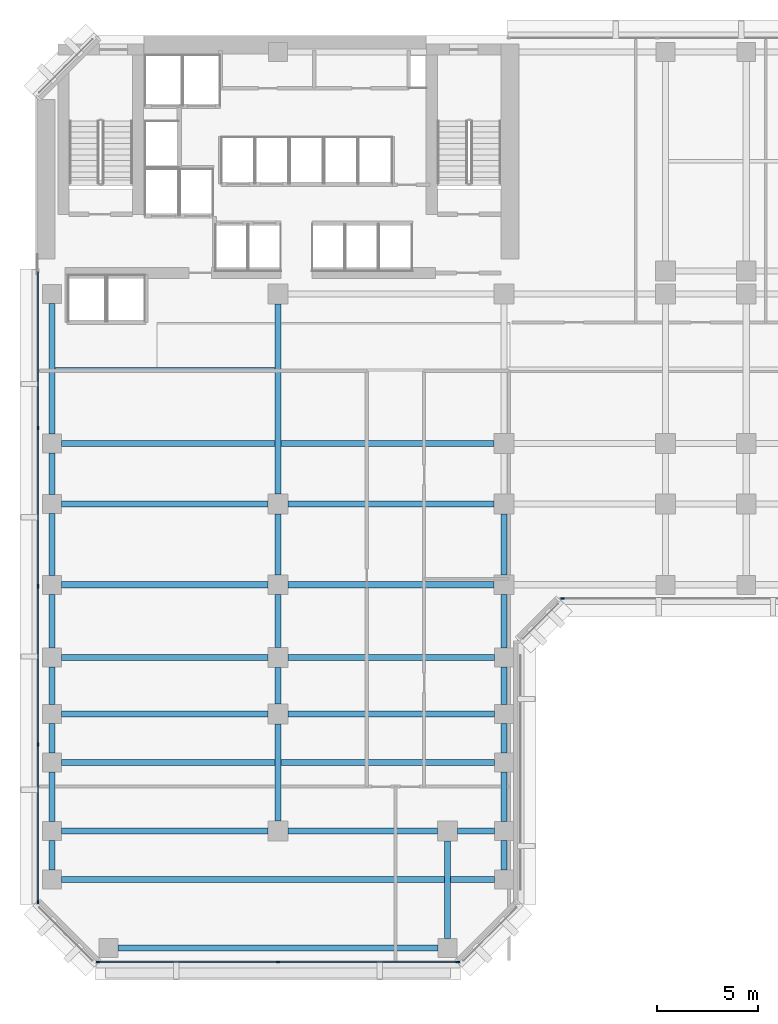
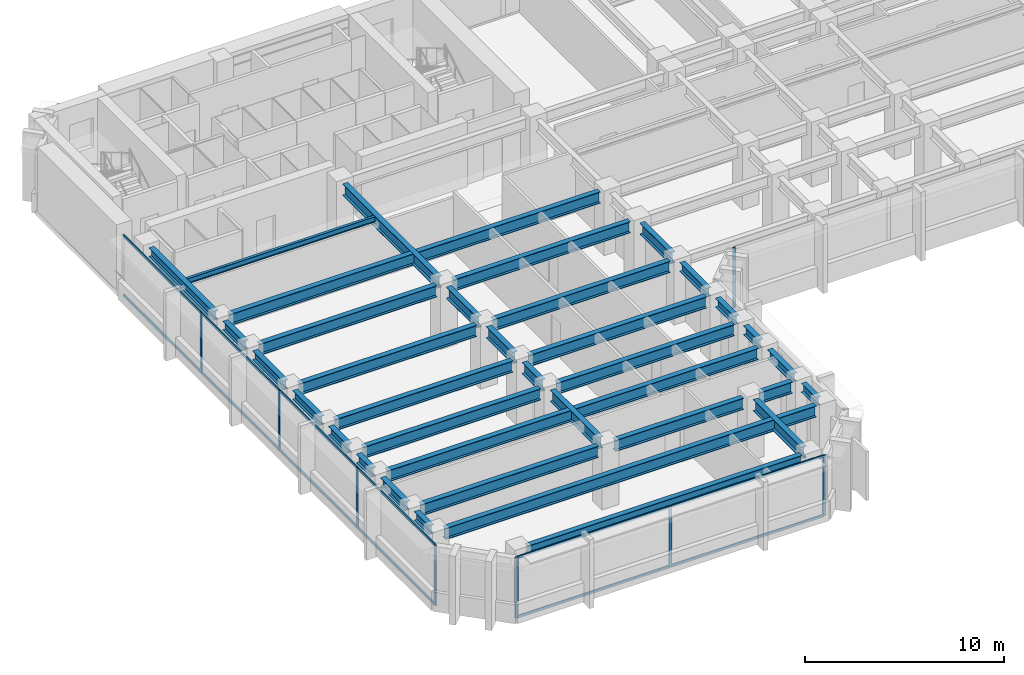
# One storey, part 2 of 13: 36 beams, 20 members, 3 elements without a shape of their own.
"""IFC4 building model written with IfcOpenShell, lengths in metres."""

from ifc_helpers import new_model, si_unit, direction, frame, origin, origin_2d, place, context, subcontext, project, spatial, rectangle, i_section, extrude, material, layer, layer_set, material_profile, profile_set, type_object, element, aggregate, save


model = new_model("IFC4")

# Units and contexts
model_context = context("Model", 3, precision=1e-05, world=origin(), true_north=direction((0.0, 1.0)))
body_context = subcontext(model_context, "Body", "Model", "MODEL_VIEW")
ifc_project = project(units=[si_unit("LENGTHUNIT", "METRE"), si_unit("AREAUNIT", "SQUARE_METRE"), si_unit("VOLUMEUNIT", "CUBIC_METRE"), si_unit("PLANEANGLEUNIT", "RADIAN"), si_unit("MASSUNIT", "GRAM", prefix="KILO")], contexts=[model_context])

# Site, building, storey
site_placement = place(None, origin())
site = spatial("IfcSite", under=ifc_project, at=site_placement, CompositionType="ELEMENT")
building_placement = place(site_placement, origin())
building = spatial("IfcBuilding", under=site, at=building_placement, Name="Kefirva Bronze Tower", CompositionType="ELEMENT")
storey_placement = place(building_placement, frame((0.0, 0.0, 69.9599609375)))
storey = spatial("IfcBuildingStorey", under=building, at=storey_placement, Name="L16", CompositionType="ELEMENT", Elevation=69.9599609375)

# Curtain wall, members
ifc_material_1 = material(Name="Bronze anodised aluminium", Category="aluminium")
ifc_layer = layer(ifc_material_1, 0.199951171875, Name="Bronze anodised aluminium")
ifc_layer_set = layer_set([ifc_layer], Name="Bronze anodised aluminium")
curtain_wall_type = type_object("IfcCurtainWallType", Name="Unitised Bronze Ribbon Curtain Wall Zone 1", PredefinedType="USERDEFINED", material=ifc_layer_set)
curtain_wall_1_placement = place(storey_placement, origin())
curtain_wall_1 = element("IfcCurtainWall", 1, at=curtain_wall_1_placement, inside=storey, type_object=curtain_wall_type, Name="L16 Curtain Wall 1", ObjectType="UNITISED CURTAIN WALL", PredefinedType="USERDEFINED")
ifc_material_profile_1 = material_profile(ifc_material_1, rectangle(XDim=0.074951171875, YDim=0.179931640625, at=origin_2d()), Name="ALU 75x180")
ifc_profile_set_1 = profile_set([ifc_material_profile_1], Name="Bronze anodised aluminium")
member_type_1 = type_object("IfcMemberType", Name="Bronze Mullion 75x180", PredefinedType="MULLION", material=ifc_profile_set_1)
member_1_placement = place(storey_placement, frame((3.092529296875, 0.1201171875, 0.0), z_axis=(0.0, 0.0, 1.0), x_axis=(0.0, 1.0, 0.0)))
member_1 = element("IfcMember", 2, at=member_1_placement, type_object=member_type_1, Name="CW-01 mullion 1", PredefinedType="MULLION", context=body_context, shape_type="SweptSolid", body=[
    extrude(rectangle(XDim=0.074951171875, YDim=0.179931640625, at=origin_2d()), origin(), (0.0, 0.0, 1.0), 3.7099609375),
])
member_2_placement = place(storey_placement, frame((12.0, 0.1201171875, 0.0), z_axis=(0.0, 0.0, 1.0), x_axis=(0.0, 1.0, 0.0)))
member_2 = element("IfcMember", 3, at=member_2_placement, type_object=member_type_1, Name="CW-01 mullion 2", PredefinedType="MULLION", context=body_context, shape_type="SweptSolid", body=[
    extrude(rectangle(XDim=0.074951171875, YDim=0.179931640625, at=origin_2d()), origin(), (0.0, 0.0, 1.0), 3.7099609375),
])
member_3_placement = place(storey_placement, frame((20.907470703125, 0.1201171875, 0.0), z_axis=(0.0, 0.0, 1.0), x_axis=(0.0, 1.0, 0.0)))
member_3 = element("IfcMember", 4, at=member_3_placement, type_object=member_type_1, Name="CW-01 mullion 3", PredefinedType="MULLION", context=body_context, shape_type="SweptSolid", body=[
    extrude(rectangle(XDim=0.074951171875, YDim=0.179931640625, at=origin_2d()), origin(), (0.0, 0.0, 1.0), 3.7099609375),
])

# Curtain wall, member
curtain_wall_2_placement = place(storey_placement, origin())
curtain_wall_2 = element("IfcCurtainWall", 5, at=curtain_wall_2_placement, inside=storey, type_object=curtain_wall_type, Name="L16 Curtain Wall 2", ObjectType="UNITISED CURTAIN WALL", PredefinedType="USERDEFINED")
member_4_placement = place(storey_placement, frame((26.092529296875, 18.1201171875, 0.0), z_axis=(0.0, 0.0, 1.0), x_axis=(0.0, 1.0, 0.0)))
member_4 = element("IfcMember", 6, at=member_4_placement, type_object=member_type_1, Name="CW-01 mullion 1", PredefinedType="MULLION", context=body_context, shape_type="SweptSolid", body=[
    extrude(rectangle(XDim=0.074951171875, YDim=0.179931640625, at=origin_2d()), origin(), (0.0, 0.0, 1.0), 3.7099609375),
])
aggregate(curtain_wall_2, [member_4])

# Curtain wall, members
curtain_wall_3_placement = place(storey_placement, origin())
curtain_wall_3 = element("IfcCurtainWall", 7, at=curtain_wall_3_placement, inside=storey, type_object=curtain_wall_type, Name="L16 Curtain Wall 5", ObjectType="UNITISED CURTAIN WALL", PredefinedType="USERDEFINED")
member_5_placement = place(storey_placement, frame((0.1201171875, 26.56005859375, 0.0), z_axis=(0.0, 0.0, 1.0), x_axis=(1.0, 0.0, 0.0)))
member_5 = element("IfcMember", 8, at=member_5_placement, type_object=member_type_1, Name="CW-01 mullion 2", PredefinedType="MULLION", context=body_context, shape_type="SweptSolid", body=[
    extrude(rectangle(XDim=0.074951171875, YDim=0.179931640625, at=origin_2d()), origin(), (0.0, 0.0, 1.0), 3.7099609375),
])
member_6_placement = place(storey_placement, frame((0.1201171875, 18.72509765625, 0.0), z_axis=(0.0, 0.0, 1.0), x_axis=(1.0, 0.0, 0.0)))
member_6 = element("IfcMember", 9, at=member_6_placement, type_object=member_type_1, Name="CW-01 mullion 3", PredefinedType="MULLION", context=body_context, shape_type="SweptSolid", body=[
    extrude(rectangle(XDim=0.074951171875, YDim=0.179931640625, at=origin_2d()), origin(), (0.0, 0.0, 1.0), 3.7099609375),
])
member_7_placement = place(storey_placement, frame((0.1201171875, 10.889892578125, 0.0), z_axis=(0.0, 0.0, 1.0), x_axis=(1.0, 0.0, 0.0)))
member_7 = element("IfcMember", 10, at=member_7_placement, type_object=member_type_1, Name="CW-01 mullion 4", PredefinedType="MULLION", context=body_context, shape_type="SweptSolid", body=[
    extrude(rectangle(XDim=0.074951171875, YDim=0.179931640625, at=origin_2d()), origin(), (0.0, 0.0, 1.0), 3.7099609375),
])
member_8_placement = place(storey_placement, frame((0.1201171875, 3.092529296875, 0.0), z_axis=(0.0, 0.0, 1.0), x_axis=(1.0, 0.0, 0.0)))
member_8 = element("IfcMember", 11, at=member_8_placement, type_object=member_type_1, Name="CW-01 mullion 5", PredefinedType="MULLION", context=body_context, shape_type="SweptSolid", body=[
    extrude(rectangle(XDim=0.074951171875, YDim=0.179931640625, at=origin_2d()), origin(), (0.0, 0.0, 1.0), 3.7099609375),
])

# Member
ifc_material_profile_2 = material_profile(ifc_material_1, rectangle(XDim=0.074951171875, YDim=0.14990234375, at=origin_2d()), Name="ALU 75x150")
ifc_profile_set_2 = profile_set([ifc_material_profile_2], Name="Bronze anodised aluminium")
member_type_2 = type_object("IfcMemberType", Name="Bronze Transom 75x150", PredefinedType="USERDEFINED", material=ifc_profile_set_2)
member_9_placement = place(storey_placement, frame((3.1298828125, 0.1201171875, 0.03759765625), z_axis=(1.0, 0.0, 0.0), x_axis=(0.0, 1.0, 0.0)))
member_9 = element("IfcMember", 12, at=member_9_placement, type_object=member_type_2, Name="CW-01 transom 1.1", ObjectType="TRANSOM", PredefinedType="USERDEFINED", context=body_context, shape_type="SweptSolid", body=[
    extrude(rectangle(XDim=0.074951171875, YDim=0.14990234375, at=origin_2d()), origin(), (0.0, 0.0, 1.0), 8.83251953125),
])

member_10_placement = place(storey_placement, frame((3.1298828125, 0.1201171875, 3.672607421875), z_axis=(1.0, 0.0, 0.0), x_axis=(0.0, 1.0, 0.0)))
member_10 = element("IfcMember", 13, at=member_10_placement, type_object=member_type_2, Name="CW-01 transom 1.2", ObjectType="TRANSOM", PredefinedType="USERDEFINED", context=body_context, shape_type="SweptSolid", body=[
    extrude(rectangle(XDim=0.074951171875, YDim=0.14990234375, at=origin_2d()), origin(), (0.0, 0.0, 1.0), 8.83251953125),
])

member_11_placement = place(storey_placement, frame((12.03759765625, 0.1201171875, 0.03759765625), z_axis=(1.0, 0.0, 0.0), x_axis=(0.0, 1.0, 0.0)))
member_11 = element("IfcMember", 14, at=member_11_placement, type_object=member_type_2, Name="CW-01 transom 2.1", ObjectType="TRANSOM", PredefinedType="USERDEFINED", context=body_context, shape_type="SweptSolid", body=[
    extrude(rectangle(XDim=0.074951171875, YDim=0.14990234375, at=origin_2d()), origin(), (0.0, 0.0, 1.0), 8.83251953125),
])

member_12_placement = place(storey_placement, frame((12.03759765625, 0.1201171875, 3.672607421875), z_axis=(1.0, 0.0, 0.0), x_axis=(0.0, 1.0, 0.0)))
member_12 = element("IfcMember", 15, at=member_12_placement, type_object=member_type_2, Name="CW-01 transom 2.2", ObjectType="TRANSOM", PredefinedType="USERDEFINED", context=body_context, shape_type="SweptSolid", body=[
    extrude(rectangle(XDim=0.074951171875, YDim=0.14990234375, at=origin_2d()), origin(), (0.0, 0.0, 1.0), 8.83251953125),
])

aggregate(curtain_wall_1, [member_1, member_2, member_3, member_9, member_10, member_11, member_12])

member_13_placement = place(storey_placement, frame((0.1201171875, 34.320068359375, 0.03759765625), z_axis=(0.0, -1.0, 0.0), x_axis=(1.0, 0.0, 0.0)))
member_13 = element("IfcMember", 16, at=member_13_placement, type_object=member_type_2, Name="CW-01 transom 1.1", ObjectType="TRANSOM", PredefinedType="USERDEFINED", context=body_context, shape_type="SweptSolid", body=[
    extrude(rectangle(XDim=0.074951171875, YDim=0.14990234375, at=origin_2d()), origin(), (0.0, 0.0, 1.0), 7.72265625),
])

member_14_placement = place(storey_placement, frame((0.1201171875, 34.320068359375, 3.672607421875), z_axis=(0.0, -1.0, 0.0), x_axis=(1.0, 0.0, 0.0)))
member_14 = element("IfcMember", 17, at=member_14_placement, type_object=member_type_2, Name="CW-01 transom 1.2", ObjectType="TRANSOM", PredefinedType="USERDEFINED", context=body_context, shape_type="SweptSolid", body=[
    extrude(rectangle(XDim=0.074951171875, YDim=0.14990234375, at=origin_2d()), origin(), (0.0, 0.0, 1.0), 7.72265625),
])

member_15_placement = place(storey_placement, frame((0.1201171875, 26.5224609375, 0.03759765625), z_axis=(0.0, -1.0, 0.0), x_axis=(1.0, 0.0, 0.0)))
member_15 = element("IfcMember", 18, at=member_15_placement, type_object=member_type_2, Name="CW-01 transom 2.1", ObjectType="TRANSOM", PredefinedType="USERDEFINED", context=body_context, shape_type="SweptSolid", body=[
    extrude(rectangle(XDim=0.074951171875, YDim=0.14990234375, at=origin_2d()), origin(), (0.0, 0.0, 1.0), 7.760009765625),
])

member_16_placement = place(storey_placement, frame((0.1201171875, 26.5224609375, 3.672607421875), z_axis=(0.0, -1.0, 0.0), x_axis=(1.0, 0.0, 0.0)))
member_16 = element("IfcMember", 19, at=member_16_placement, type_object=member_type_2, Name="CW-01 transom 2.2", ObjectType="TRANSOM", PredefinedType="USERDEFINED", context=body_context, shape_type="SweptSolid", body=[
    extrude(rectangle(XDim=0.074951171875, YDim=0.14990234375, at=origin_2d()), origin(), (0.0, 0.0, 1.0), 7.760009765625),
])

member_17_placement = place(storey_placement, frame((0.1201171875, 18.6875, 0.03759765625), z_axis=(0.0, -1.0, 0.0), x_axis=(1.0, 0.0, 0.0)))
member_17 = element("IfcMember", 20, at=member_17_placement, type_object=member_type_2, Name="CW-01 transom 3.1", ObjectType="TRANSOM", PredefinedType="USERDEFINED", context=body_context, shape_type="SweptSolid", body=[
    extrude(rectangle(XDim=0.074951171875, YDim=0.14990234375, at=origin_2d()), origin(), (0.0, 0.0, 1.0), 7.760009765625),
])

member_18_placement = place(storey_placement, frame((0.1201171875, 18.6875, 3.672607421875), z_axis=(0.0, -1.0, 0.0), x_axis=(1.0, 0.0, 0.0)))
member_18 = element("IfcMember", 21, at=member_18_placement, type_object=member_type_2, Name="CW-01 transom 3.2", ObjectType="TRANSOM", PredefinedType="USERDEFINED", context=body_context, shape_type="SweptSolid", body=[
    extrude(rectangle(XDim=0.074951171875, YDim=0.14990234375, at=origin_2d()), origin(), (0.0, 0.0, 1.0), 7.760009765625),
])

member_19_placement = place(storey_placement, frame((0.1201171875, 10.8525390625, 0.03759765625), z_axis=(0.0, -1.0, 0.0), x_axis=(1.0, 0.0, 0.0)))
member_19 = element("IfcMember", 22, at=member_19_placement, type_object=member_type_2, Name="CW-01 transom 4.1", ObjectType="TRANSOM", PredefinedType="USERDEFINED", context=body_context, shape_type="SweptSolid", body=[
    extrude(rectangle(XDim=0.074951171875, YDim=0.14990234375, at=origin_2d()), origin(), (0.0, 0.0, 1.0), 7.72265625),
])

member_20_placement = place(storey_placement, frame((0.1201171875, 10.8525390625, 3.672607421875), z_axis=(0.0, -1.0, 0.0), x_axis=(1.0, 0.0, 0.0)))
member_20 = element("IfcMember", 23, at=member_20_placement, type_object=member_type_2, Name="CW-01 transom 4.2", ObjectType="TRANSOM", PredefinedType="USERDEFINED", context=body_context, shape_type="SweptSolid", body=[
    extrude(rectangle(XDim=0.074951171875, YDim=0.14990234375, at=origin_2d()), origin(), (0.0, 0.0, 1.0), 7.72265625),
])

aggregate(curtain_wall_3, [member_5, member_6, member_7, member_8, member_13, member_14, member_15, member_16, member_17, member_18, member_19, member_20])

# Beams
ifc_material_2 = material(Name="Steel S355", Category="steel")
ifc_material_profile_3 = material_profile(ifc_material_2, i_section(OverallWidth=0.159912109375, OverallDepth=0.330078125, WebThickness=0.007568359375, FlangeThickness=0.011474609375, at=origin_2d()), Name="IPE 330")
ifc_profile_set_3 = profile_set([ifc_material_profile_3], Name="Steel S355")
beam_type_1 = type_object("IfcBeamType", Name="Steel Floor Joist IPE 330", PredefinedType="JOIST", material=ifc_profile_set_3)
beam_1_placement = place(storey_placement, frame((0.949951171875, 29.489990234375, 3.544921875), z_axis=(1.0, 0.0, 0.0), x_axis=(0.0, 1.0, 0.0)))
element("IfcBeam", 24, at=beam_1_placement, inside=storey, type_object=beam_type_1, Name="L16 JST-L16-0-294", PredefinedType="JOIST", context=body_context, shape_type="SweptSolid", body=[
    extrude(i_section(OverallWidth=0.159912109375, OverallDepth=0.330078125, WebThickness=0.007568359375, FlangeThickness=0.011474609375, at=origin_2d()), origin(), (0.0, 0.0, 1.0), 10.900146484375),
])
ifc_material_profile_4 = material_profile(ifc_material_2, i_section(OverallWidth=0.300048828125, OverallDepth=0.699951171875, WebThickness=0.01708984375, FlangeThickness=0.031982421875, at=origin_2d()), Name="HEB 700")
ifc_profile_set_4 = profile_set([ifc_material_profile_4], Name="Steel S355")
beam_type_2 = type_object("IfcBeamType", Name="Steel Girder HEB 700", PredefinedType="USERDEFINED", material=ifc_profile_set_4)
beam_2_placement = place(storey_placement, frame((1.27001953125, 4.199951171875, 3.360107421875), z_axis=(1.0, 0.0, 0.0), x_axis=(0.0, 1.0, 0.0)))
element("IfcBeam", 25, at=beam_2_placement, inside=storey, type_object=beam_type_2, Name="L16 BM-L16-EW-0-42", ObjectType="GIRDER", PredefinedType="USERDEFINED", context=body_context, shape_type="SweptSolid", body=[
    extrude(i_section(OverallWidth=0.300048828125, OverallDepth=0.699951171875, WebThickness=0.01708984375, FlangeThickness=0.031982421875, at=origin_2d()), origin(), (0.0, 0.0, 1.0), 21.4599609375),
])
beam_3_placement = place(storey_placement, frame((1.27001953125, 6.60009765625, 3.360107421875), z_axis=(1.0, 0.0, 0.0), x_axis=(0.0, 1.0, 0.0)))
element("IfcBeam", 26, at=beam_3_placement, inside=storey, type_object=beam_type_2, Name="L16 BM-L16-EW-0-66", ObjectType="GIRDER", PredefinedType="USERDEFINED", context=body_context, shape_type="SweptSolid", body=[
    extrude(i_section(OverallWidth=0.300048828125, OverallDepth=0.699951171875, WebThickness=0.01708984375, FlangeThickness=0.031982421875, at=origin_2d()), origin(), (0.0, 0.0, 1.0), 10.239990234375),
])
beam_4_placement = place(storey_placement, frame((12.489990234375, 6.60009765625, 3.360107421875), z_axis=(1.0, 0.0, 0.0), x_axis=(0.0, 1.0, 0.0)))
element("IfcBeam", 27, at=beam_4_placement, inside=storey, type_object=beam_type_2, Name="L16 BM-L16-EW-12-66", ObjectType="GIRDER", PredefinedType="USERDEFINED", context=body_context, shape_type="SweptSolid", body=[
    extrude(i_section(OverallWidth=0.300048828125, OverallDepth=0.699951171875, WebThickness=0.01708984375, FlangeThickness=0.031982421875, at=origin_2d()), origin(), (0.0, 0.0, 1.0), 7.419921875),
])
beam_5_placement = place(storey_placement, frame((20.889892578125, 6.60009765625, 3.360107421875), z_axis=(1.0, 0.0, 0.0), x_axis=(0.0, 1.0, 0.0)))
element("IfcBeam", 28, at=beam_5_placement, inside=storey, type_object=beam_type_2, Name="L16 BM-L16-EW-20-66", ObjectType="GIRDER", PredefinedType="USERDEFINED", context=body_context, shape_type="SweptSolid", body=[
    extrude(i_section(OverallWidth=0.300048828125, OverallDepth=0.699951171875, WebThickness=0.01708984375, FlangeThickness=0.031982421875, at=origin_2d()), origin(), (0.0, 0.0, 1.0), 1.840087890625),
])
beam_6_placement = place(storey_placement, frame((1.27001953125, 10.0, 3.360107421875), z_axis=(1.0, 0.0, 0.0), x_axis=(0.0, 1.0, 0.0)))
element("IfcBeam", 29, at=beam_6_placement, inside=storey, type_object=beam_type_2, Name="L16 BM-L16-EW-0-100", ObjectType="GIRDER", PredefinedType="USERDEFINED", context=body_context, shape_type="SweptSolid", body=[
    extrude(i_section(OverallWidth=0.300048828125, OverallDepth=0.699951171875, WebThickness=0.01708984375, FlangeThickness=0.031982421875, at=origin_2d()), origin(), (0.0, 0.0, 1.0), 21.4599609375),
])
for number, where, z_axis, x_axis, name in (
    (30, (1.27001953125, 12.39990234375, 3.360107421875), (1.0, 0.0, 0.0), (0.0, 1.0, 0.0), "L16 BM-L16-EW-0-124"),
    (31, (12.489990234375, 12.39990234375, 3.360107421875), (1.0, 0.0, 0.0), (0.0, 1.0, 0.0), "L16 BM-L16-EW-12-124"),
    (32, (1.27001953125, 15.199951171875, 3.360107421875), (1.0, 0.0, 0.0), (0.0, 1.0, 0.0), "L16 BM-L16-EW-0-152"),
    (33, (12.489990234375, 15.199951171875, 3.360107421875), (1.0, 0.0, 0.0), (0.0, 1.0, 0.0), "L16 BM-L16-EW-12-152"),
    (34, (1.27001953125, 18.800048828125, 3.360107421875), (1.0, 0.0, 0.0), (0.0, 1.0, 0.0), "L16 BM-L16-EW-0-188"),
):
    element("IfcBeam", number, at=place(storey_placement, frame(where, z_axis=z_axis, x_axis=x_axis)), inside=storey, type_object=beam_type_2, Name=name, ObjectType="GIRDER", PredefinedType="USERDEFINED", context=body_context, shape_type="SweptSolid", body=[
        extrude(i_section(OverallWidth=0.300048828125, OverallDepth=0.699951171875, WebThickness=0.01708984375, FlangeThickness=0.031982421875, at=origin_2d()), origin(), (0.0, 0.0, 1.0), 10.239990234375),
    ])
beam_7_placement = place(storey_placement, frame((12.489990234375, 18.800048828125, 3.360107421875), z_axis=(1.0, 0.0, 0.0), x_axis=(0.0, 1.0, 0.0)))
element("IfcBeam", 35, at=beam_7_placement, inside=storey, type_object=beam_type_2, Name="L16 BM-L16-EW-12-188", ObjectType="GIRDER", PredefinedType="USERDEFINED", context=body_context, shape_type="SweptSolid", body=[
    extrude(i_section(OverallWidth=0.300048828125, OverallDepth=0.699951171875, WebThickness=0.01708984375, FlangeThickness=0.031982421875, at=origin_2d()), origin(), (0.0, 0.0, 1.0), 10.219970703125),
])
beam_8_placement = place(storey_placement, frame((1.27001953125, 22.800048828125, 3.360107421875), z_axis=(1.0, 0.0, 0.0), x_axis=(0.0, 1.0, 0.0)))
element("IfcBeam", 36, at=beam_8_placement, inside=storey, type_object=beam_type_2, Name="L16 BM-L16-EW-0-228", ObjectType="GIRDER", PredefinedType="USERDEFINED", context=body_context, shape_type="SweptSolid", body=[
    extrude(i_section(OverallWidth=0.300048828125, OverallDepth=0.699951171875, WebThickness=0.01708984375, FlangeThickness=0.031982421875, at=origin_2d()), origin(), (0.0, 0.0, 1.0), 10.239990234375),
])
beam_9_placement = place(storey_placement, frame((12.489990234375, 22.800048828125, 3.360107421875), z_axis=(1.0, 0.0, 0.0), x_axis=(0.0, 1.0, 0.0)))
element("IfcBeam", 37, at=beam_9_placement, inside=storey, type_object=beam_type_2, Name="L16 BM-L16-EW-12-228", ObjectType="GIRDER", PredefinedType="USERDEFINED", context=body_context, shape_type="SweptSolid", body=[
    extrude(i_section(OverallWidth=0.300048828125, OverallDepth=0.699951171875, WebThickness=0.01708984375, FlangeThickness=0.031982421875, at=origin_2d()), origin(), (0.0, 0.0, 1.0), 10.219970703125),
])
beam_10_placement = place(storey_placement, frame((1.27001953125, 25.800048828125, 3.360107421875), z_axis=(1.0, 0.0, 0.0), x_axis=(0.0, 1.0, 0.0)))
element("IfcBeam", 38, at=beam_10_placement, inside=storey, type_object=beam_type_2, Name="L16 BM-L16-EW-0-258", ObjectType="GIRDER", PredefinedType="USERDEFINED", context=body_context, shape_type="SweptSolid", body=[
    extrude(i_section(OverallWidth=0.300048828125, OverallDepth=0.699951171875, WebThickness=0.01708984375, FlangeThickness=0.031982421875, at=origin_2d()), origin(), (0.0, 0.0, 1.0), 21.43994140625),
])
beam_11_placement = place(storey_placement, frame((12.0, 7.090087890625, 3.360107421875), z_axis=(0.0, 1.0, 0.0), x_axis=(-1.0, 0.0, 0.0)))
element("IfcBeam", 39, at=beam_11_placement, inside=storey, type_object=beam_type_2, Name="L16 BM-L16-NS-120-6", ObjectType="GIRDER", PredefinedType="USERDEFINED", context=body_context, shape_type="SweptSolid", body=[
    extrude(i_section(OverallWidth=0.300048828125, OverallDepth=0.699951171875, WebThickness=0.01708984375, FlangeThickness=0.031982421875, at=origin_2d()), origin(), (0.0, 0.0, 1.0), 4.81982421875),
])
beam_12_placement = place(storey_placement, frame((12.0, 12.889892578125, 3.360107421875), z_axis=(0.0, 1.0, 0.0), x_axis=(-1.0, 0.0, 0.0)))
element("IfcBeam", 40, at=beam_12_placement, inside=storey, type_object=beam_type_2, Name="L16 BM-L16-NS-120-12", ObjectType="GIRDER", PredefinedType="USERDEFINED", context=body_context, shape_type="SweptSolid", body=[
    extrude(i_section(OverallWidth=0.300048828125, OverallDepth=0.699951171875, WebThickness=0.01708984375, FlangeThickness=0.031982421875, at=origin_2d()), origin(), (0.0, 0.0, 1.0), 1.820068359375),
])
beam_13_placement = place(storey_placement, frame((12.0, 15.68994140625, 3.360107421875), z_axis=(0.0, 1.0, 0.0), x_axis=(-1.0, 0.0, 0.0)))
element("IfcBeam", 41, at=beam_13_placement, inside=storey, type_object=beam_type_2, Name="L16 BM-L16-NS-120-15", ObjectType="GIRDER", PredefinedType="USERDEFINED", context=body_context, shape_type="SweptSolid", body=[
    extrude(i_section(OverallWidth=0.300048828125, OverallDepth=0.699951171875, WebThickness=0.01708984375, FlangeThickness=0.031982421875, at=origin_2d()), origin(), (0.0, 0.0, 1.0), 2.6201171875),
])
beam_14_placement = place(storey_placement, frame((12.0, 19.2900390625, 3.360107421875), z_axis=(0.0, 1.0, 0.0), x_axis=(-1.0, 0.0, 0.0)))
element("IfcBeam", 42, at=beam_14_placement, inside=storey, type_object=beam_type_2, Name="L16 BM-L16-NS-120-18", ObjectType="GIRDER", PredefinedType="USERDEFINED", context=body_context, shape_type="SweptSolid", body=[
    extrude(i_section(OverallWidth=0.300048828125, OverallDepth=0.699951171875, WebThickness=0.01708984375, FlangeThickness=0.031982421875, at=origin_2d()), origin(), (0.0, 0.0, 1.0), 3.02001953125),
])
beam_15_placement = place(storey_placement, frame((12.0, 23.2900390625, 3.360107421875), z_axis=(0.0, 1.0, 0.0), x_axis=(-1.0, 0.0, 0.0)))
element("IfcBeam", 43, at=beam_15_placement, inside=storey, type_object=beam_type_2, Name="L16 BM-L16-NS-120-22", ObjectType="GIRDER", PredefinedType="USERDEFINED", context=body_context, shape_type="SweptSolid", body=[
    extrude(i_section(OverallWidth=0.300048828125, OverallDepth=0.699951171875, WebThickness=0.01708984375, FlangeThickness=0.031982421875, at=origin_2d()), origin(), (0.0, 0.0, 1.0), 9.419921875),
])
beam_16_placement = place(storey_placement, frame((20.39990234375, 1.27001953125, 3.360107421875), z_axis=(0.0, 1.0, 0.0), x_axis=(-1.0, 0.0, 0.0)))
element("IfcBeam", 44, at=beam_16_placement, inside=storey, type_object=beam_type_2, Name="L16 BM-L16-NS-204-0", ObjectType="GIRDER", PredefinedType="USERDEFINED", context=body_context, shape_type="SweptSolid", body=[
    extrude(i_section(OverallWidth=0.300048828125, OverallDepth=0.699951171875, WebThickness=0.01708984375, FlangeThickness=0.031982421875, at=origin_2d()), origin(), (0.0, 0.0, 1.0), 4.840087890625),
])
beam_17_placement = place(storey_placement, frame((23.199951171875, 19.2900390625, 3.360107421875), z_axis=(0.0, 1.0, 0.0), x_axis=(-1.0, 0.0, 0.0)))
element("IfcBeam", 45, at=beam_17_placement, inside=storey, type_object=beam_type_2, Name="L16 BM-L16-NS-232-18", ObjectType="GIRDER", PredefinedType="USERDEFINED", context=body_context, shape_type="SweptSolid", body=[
    extrude(i_section(OverallWidth=0.300048828125, OverallDepth=0.699951171875, WebThickness=0.01708984375, FlangeThickness=0.031982421875, at=origin_2d()), origin(), (0.0, 0.0, 1.0), 3.02001953125),
])
ifc_material_profile_5 = material_profile(ifc_material_2, i_section(OverallWidth=0.300048828125, OverallDepth=0.550048828125, WebThickness=0.014892578125, FlangeThickness=0.029052734375, at=origin_2d()), Name="HEB 550")
ifc_profile_set_5 = profile_set([ifc_material_profile_5], Name="Steel S355")
beam_type_3 = type_object("IfcBeamType", Name="Steel Spandrel HEB 550 Ext", PredefinedType="SPANDREL", material=ifc_profile_set_5)
beam_18_placement = place(storey_placement, frame((4.070068359375, 0.800048828125, 3.43505859375), z_axis=(1.0, 0.0, 0.0), x_axis=(0.0, 1.0, 0.0)))
element("IfcBeam", 46, at=beam_18_placement, inside=storey, type_object=beam_type_3, Name="L16 BM-L16-EW-3-8", PredefinedType="SPANDREL", context=body_context, shape_type="SweptSolid", body=[
    extrude(i_section(OverallWidth=0.300048828125, OverallDepth=0.550048828125, WebThickness=0.014892578125, FlangeThickness=0.029052734375, at=origin_2d()), origin(), (0.0, 0.0, 1.0), 15.85986328125),
])
beam_19_placement = place(storey_placement, frame((0.800048828125, 4.669921875, 3.43505859375), z_axis=(0.0, 1.0, 0.0), x_axis=(-1.0, 0.0, 0.0)))
element("IfcBeam", 47, at=beam_19_placement, inside=storey, type_object=beam_type_3, Name="L16 BM-L16-NS-8-4", PredefinedType="SPANDREL", context=body_context, shape_type="SweptSolid", body=[
    extrude(i_section(OverallWidth=0.300048828125, OverallDepth=0.550048828125, WebThickness=0.014892578125, FlangeThickness=0.029052734375, at=origin_2d()), origin(), (0.0, 0.0, 1.0), 1.4599609375),
])
beam_20_placement = place(storey_placement, frame((0.800048828125, 7.070068359375, 3.43505859375), z_axis=(0.0, 1.0, 0.0), x_axis=(-1.0, 0.0, 0.0)))
element("IfcBeam", 48, at=beam_20_placement, inside=storey, type_object=beam_type_3, Name="L16 BM-L16-NS-8-6", PredefinedType="SPANDREL", context=body_context, shape_type="SweptSolid", body=[
    extrude(i_section(OverallWidth=0.300048828125, OverallDepth=0.550048828125, WebThickness=0.014892578125, FlangeThickness=0.029052734375, at=origin_2d()), origin(), (0.0, 0.0, 1.0), 2.4599609375),
])
beam_21_placement = place(storey_placement, frame((0.800048828125, 10.469970703125, 3.43505859375), z_axis=(0.0, 1.0, 0.0), x_axis=(-1.0, 0.0, 0.0)))
element("IfcBeam", 49, at=beam_21_placement, inside=storey, type_object=beam_type_3, Name="L16 BM-L16-NS-8-10", PredefinedType="SPANDREL", context=body_context, shape_type="SweptSolid", body=[
    extrude(i_section(OverallWidth=0.300048828125, OverallDepth=0.550048828125, WebThickness=0.014892578125, FlangeThickness=0.029052734375, at=origin_2d()), origin(), (0.0, 0.0, 1.0), 1.4599609375),
])
beam_22_placement = place(storey_placement, frame((0.800048828125, 12.8701171875, 3.43505859375), z_axis=(0.0, 1.0, 0.0), x_axis=(-1.0, 0.0, 0.0)))
element("IfcBeam", 50, at=beam_22_placement, inside=storey, type_object=beam_type_3, Name="L16 BM-L16-NS-8-12", PredefinedType="SPANDREL", context=body_context, shape_type="SweptSolid", body=[
    extrude(i_section(OverallWidth=0.300048828125, OverallDepth=0.550048828125, WebThickness=0.014892578125, FlangeThickness=0.029052734375, at=origin_2d()), origin(), (0.0, 0.0, 1.0), 1.85986328125),
])
beam_23_placement = place(storey_placement, frame((0.800048828125, 15.669921875, 3.43505859375), z_axis=(0.0, 1.0, 0.0), x_axis=(-1.0, 0.0, 0.0)))
element("IfcBeam", 51, at=beam_23_placement, inside=storey, type_object=beam_type_3, Name="L16 BM-L16-NS-8-15", PredefinedType="SPANDREL", context=body_context, shape_type="SweptSolid", body=[
    extrude(i_section(OverallWidth=0.300048828125, OverallDepth=0.550048828125, WebThickness=0.014892578125, FlangeThickness=0.029052734375, at=origin_2d()), origin(), (0.0, 0.0, 1.0), 2.66015625),
])
beam_24_placement = place(storey_placement, frame((0.800048828125, 19.27001953125, 3.43505859375), z_axis=(0.0, 1.0, 0.0), x_axis=(-1.0, 0.0, 0.0)))
element("IfcBeam", 52, at=beam_24_placement, inside=storey, type_object=beam_type_3, Name="L16 BM-L16-NS-8-18", PredefinedType="SPANDREL", context=body_context, shape_type="SweptSolid", body=[
    extrude(i_section(OverallWidth=0.300048828125, OverallDepth=0.550048828125, WebThickness=0.014892578125, FlangeThickness=0.029052734375, at=origin_2d()), origin(), (0.0, 0.0, 1.0), 3.06005859375),
])
beam_25_placement = place(storey_placement, frame((0.800048828125, 23.27001953125, 3.43505859375), z_axis=(0.0, 1.0, 0.0), x_axis=(-1.0, 0.0, 0.0)))
element("IfcBeam", 53, at=beam_25_placement, inside=storey, type_object=beam_type_3, Name="L16 BM-L16-NS-8-22", PredefinedType="SPANDREL", context=body_context, shape_type="SweptSolid", body=[
    extrude(i_section(OverallWidth=0.300048828125, OverallDepth=0.550048828125, WebThickness=0.014892578125, FlangeThickness=0.029052734375, at=origin_2d()), origin(), (0.0, 0.0, 1.0), 2.06005859375),
])
beam_26_placement = place(storey_placement, frame((0.800048828125, 26.27001953125, 3.43505859375), z_axis=(0.0, 1.0, 0.0), x_axis=(-1.0, 0.0, 0.0)))
element("IfcBeam", 54, at=beam_26_placement, inside=storey, type_object=beam_type_3, Name="L16 BM-L16-NS-8-25", PredefinedType="SPANDREL", context=body_context, shape_type="SweptSolid", body=[
    extrude(i_section(OverallWidth=0.300048828125, OverallDepth=0.550048828125, WebThickness=0.014892578125, FlangeThickness=0.029052734375, at=origin_2d()), origin(), (0.0, 0.0, 1.0), 6.4599609375),
])
beam_27_placement = place(storey_placement, frame((23.199951171875, 4.669921875, 3.43505859375), z_axis=(0.0, 1.0, 0.0), x_axis=(-1.0, 0.0, 0.0)))
element("IfcBeam", 55, at=beam_27_placement, inside=storey, type_object=beam_type_3, Name="L16 BM-L16-NS-232-4", PredefinedType="SPANDREL", context=body_context, shape_type="SweptSolid", body=[
    extrude(i_section(OverallWidth=0.300048828125, OverallDepth=0.550048828125, WebThickness=0.014892578125, FlangeThickness=0.029052734375, at=origin_2d()), origin(), (0.0, 0.0, 1.0), 1.4599609375),
])
beam_28_placement = place(storey_placement, frame((23.199951171875, 7.070068359375, 3.43505859375), z_axis=(0.0, 1.0, 0.0), x_axis=(-1.0, 0.0, 0.0)))
element("IfcBeam", 56, at=beam_28_placement, inside=storey, type_object=beam_type_3, Name="L16 BM-L16-NS-232-6", PredefinedType="SPANDREL", context=body_context, shape_type="SweptSolid", body=[
    extrude(i_section(OverallWidth=0.300048828125, OverallDepth=0.550048828125, WebThickness=0.014892578125, FlangeThickness=0.029052734375, at=origin_2d()), origin(), (0.0, 0.0, 1.0), 2.4599609375),
])
beam_29_placement = place(storey_placement, frame((23.199951171875, 10.469970703125, 3.43505859375), z_axis=(0.0, 1.0, 0.0), x_axis=(-1.0, 0.0, 0.0)))
element("IfcBeam", 57, at=beam_29_placement, inside=storey, type_object=beam_type_3, Name="L16 BM-L16-NS-232-10", PredefinedType="SPANDREL", context=body_context, shape_type="SweptSolid", body=[
    extrude(i_section(OverallWidth=0.300048828125, OverallDepth=0.550048828125, WebThickness=0.014892578125, FlangeThickness=0.029052734375, at=origin_2d()), origin(), (0.0, 0.0, 1.0), 1.4599609375),
])
beam_30_placement = place(storey_placement, frame((23.199951171875, 12.8701171875, 3.43505859375), z_axis=(0.0, 1.0, 0.0), x_axis=(-1.0, 0.0, 0.0)))
element("IfcBeam", 58, at=beam_30_placement, inside=storey, type_object=beam_type_3, Name="L16 BM-L16-NS-232-12", PredefinedType="SPANDREL", context=body_context, shape_type="SweptSolid", body=[
    extrude(i_section(OverallWidth=0.300048828125, OverallDepth=0.550048828125, WebThickness=0.014892578125, FlangeThickness=0.029052734375, at=origin_2d()), origin(), (0.0, 0.0, 1.0), 1.85986328125),
])
beam_31_placement = place(storey_placement, frame((23.199951171875, 15.669921875, 3.43505859375), z_axis=(0.0, 1.0, 0.0), x_axis=(-1.0, 0.0, 0.0)))
element("IfcBeam", 59, at=beam_31_placement, inside=storey, type_object=beam_type_3, Name="L16 BM-L16-NS-232-15", PredefinedType="SPANDREL", context=body_context, shape_type="SweptSolid", body=[
    extrude(i_section(OverallWidth=0.300048828125, OverallDepth=0.550048828125, WebThickness=0.014892578125, FlangeThickness=0.029052734375, at=origin_2d()), origin(), (0.0, 0.0, 1.0), 2.64013671875),
])

save(model, "model.ifc")
